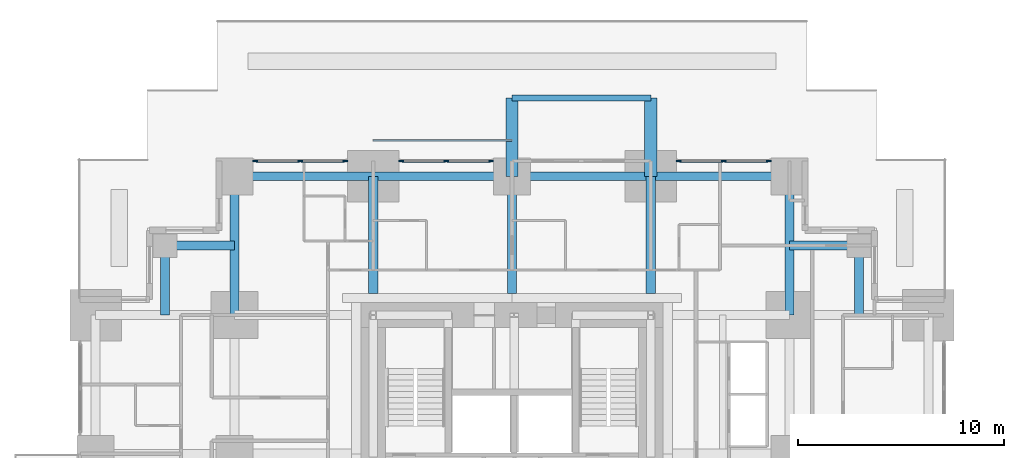
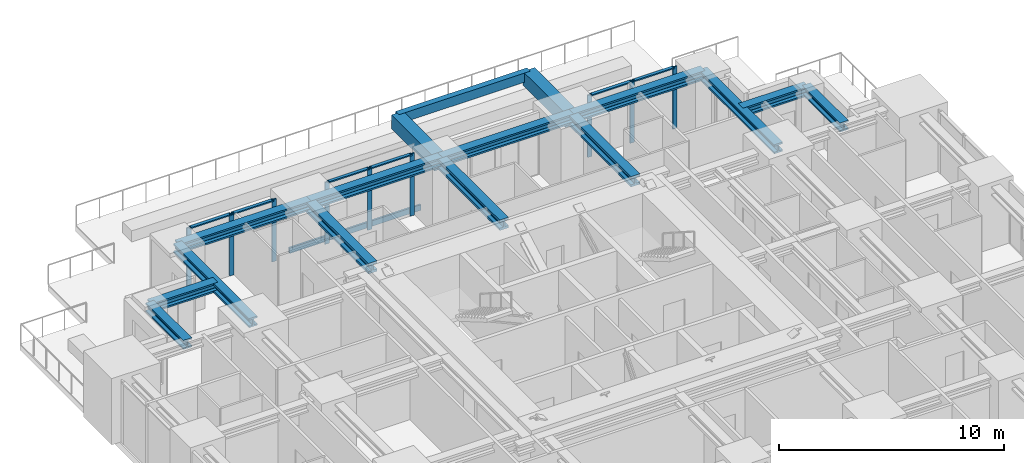
# One storey, part 4 of 12: 16 beams, 16 members, 3 elements without a shape of their own.
"""IFC4 building model written with IfcOpenShell, lengths in metres."""

from ifc_helpers import new_model, si_unit, direction, frame, origin, origin_2d, place, context, subcontext, project, spatial, rectangle, hollow_rectangle, i_section, extrude, material, material_profile, profile_set, type_object, element, aggregate, save


model = new_model("IFC4")

# Units and contexts
model_context = context("Model", 3, precision=1e-05, world=origin(), true_north=direction((0.0, 1.0)))
body_context = subcontext(model_context, "Body", "Model", "MODEL_VIEW")
ifc_project = project(units=[si_unit("LENGTHUNIT", "METRE"), si_unit("AREAUNIT", "SQUARE_METRE"), si_unit("VOLUMEUNIT", "CUBIC_METRE"), si_unit("PLANEANGLEUNIT", "RADIAN"), si_unit("MASSUNIT", "GRAM", prefix="KILO")], contexts=[model_context])

# Site, building, storey
site_placement = place(None, origin())
site = spatial("IfcSite", under=ifc_project, at=site_placement, CompositionType="ELEMENT")
building_placement = place(site_placement, origin())
building = spatial("IfcBuilding", under=site, at=building_placement, Name="Nyansa Garden Tower", CompositionType="ELEMENT")
storey_placement = place(building_placement, frame((0.0, 0.0, 80.10009765625)))
storey = spatial("IfcBuildingStorey", under=building, at=storey_placement, Name="L21", CompositionType="ELEMENT", Elevation=80.10009765625)

# Beams
ifc_material_1 = material(Name="Concrete C70/85", Category="concrete")
ifc_material_profile_1 = material_profile(ifc_material_1, rectangle(XDim=0.60009765625, YDim=0.75, at=origin_2d()), Name="RC 600x750")
ifc_profile_set_1 = profile_set([ifc_material_profile_1], Name="Concrete C70/85")
beam_type_1 = type_object("IfcBeamType", Name="Balcony cantilever beam CB1 RC 600x750", PredefinedType="BEAM", material=ifc_profile_set_1)
for number, where, z_axis, x_axis, name in (
    (1, (20.25, 33.75, 2.98486328125), (0.0, 1.0, 0.0), (-1.0, 0.0, 0.0), "Balcony cantilever beam L22"),
    (2, (27.0, 33.75, 2.98486328125), (0.0, 1.0, 0.0), (-1.0, 0.0, 0.0), "Balcony cantilever beam L22"),
):
    element("IfcBeam", number, at=place(storey_placement, frame(where, z_axis=z_axis, x_axis=x_axis)), inside=storey, type_object=beam_type_1, Name=name, PredefinedType="BEAM", context=body_context, shape_type="SweptSolid", body=[
        extrude(rectangle(XDim=0.60009765625, YDim=0.75, at=origin_2d()), origin(), (0.0, 0.0, 1.0), 3.800048828125),
    ])
ifc_material_2 = material(Name="Concrete C70/85", Category="concrete")
ifc_material_profile_2 = material_profile(ifc_material_2, rectangle(XDim=0.300048828125, YDim=0.5, at=origin_2d()), Name="RC 300x500")
ifc_profile_set_2 = profile_set([ifc_material_profile_2], Name="Concrete C70/85")
beam_type_2 = type_object("IfcBeamType", Name="Balcony edge beam BE1 RC 300x500", PredefinedType="BEAM", material=ifc_profile_set_2)
beam_placement = place(storey_placement, frame((20.25, 37.550048828125, 3.10986328125), z_axis=(1.0, 0.0, 0.0), x_axis=(0.0, 1.0, 0.0)))
element("IfcBeam", 3, at=beam_placement, inside=storey, type_object=beam_type_2, Name="Balcony edge beam L22", PredefinedType="BEAM", context=body_context, shape_type="SweptSolid", body=[
    extrude(rectangle(XDim=0.300048828125, YDim=0.5, at=origin_2d()), origin(), (0.0, 0.0, 1.0), 6.75),
])

# Curtain wall, members
ifc_material_3 = material(Name="Black anodised aluminium, dark tinted double glazing", Category="aluminium")
curtain_wall_type = type_object("IfcCurtainWallType", Name="Inner skin curtain wall ISW-B", PredefinedType="USERDEFINED", material=ifc_material_3)
curtain_wall_1_placement = place(storey_placement, origin())
curtain_wall_1 = element("IfcCurtainWall", 4, at=curtain_wall_1_placement, inside=storey, type_object=curtain_wall_type, Name="Inner skin curtain wall L21 N", ObjectType="UNITISED CURTAIN WALL", PredefinedType="USERDEFINED")
ifc_material_4 = material(Name="Black anodised aluminium", Category="aluminium")
ifc_material_profile_3 = material_profile(ifc_material_4, rectangle(XDim=0.06494140625, YDim=0.22509765625, at=origin_2d()), Name="Mullion 225x65")
ifc_profile_set_3 = profile_set([ifc_material_profile_3], Name="Black anodised aluminium")
member_type_1 = type_object("IfcMemberType", Name="Mullion ISW-B 225x65", PredefinedType="MULLION", material=ifc_profile_set_3)
member_1_placement = place(storey_placement, frame((19.237548828125, 34.5, 0.0), z_axis=(0.0, 0.0, 1.0), x_axis=(0.0, -1.0, 0.0)))
member_1 = element("IfcMember", 5, at=member_1_placement, type_object=member_type_1, Name="ISW-B mullion 1", PredefinedType="MULLION", context=body_context, shape_type="SweptSolid", body=[
    extrude(rectangle(XDim=0.06494140625, YDim=0.22509765625, at=origin_2d()), origin(), (0.0, 0.0, 1.0), 3.375),
])
member_2_placement = place(storey_placement, frame((17.050048828125, 34.5, 0.0), z_axis=(0.0, 0.0, 1.0), x_axis=(0.0, -1.0, 0.0)))
member_2 = element("IfcMember", 6, at=member_2_placement, type_object=member_type_1, Name="ISW-B mullion 2", PredefinedType="MULLION", context=body_context, shape_type="SweptSolid", body=[
    extrude(rectangle(XDim=0.06494140625, YDim=0.22509765625, at=origin_2d()), origin(), (0.0, 0.0, 1.0), 3.375),
])
member_3_placement = place(storey_placement, frame((14.862548828125, 34.5, 0.0), z_axis=(0.0, 0.0, 1.0), x_axis=(0.0, -1.0, 0.0)))
member_3 = element("IfcMember", 7, at=member_3_placement, type_object=member_type_1, Name="ISW-B mullion 3", PredefinedType="MULLION", context=body_context, shape_type="SweptSolid", body=[
    extrude(rectangle(XDim=0.06494140625, YDim=0.22509765625, at=origin_2d()), origin(), (0.0, 0.0, 1.0), 3.375),
])

curtain_wall_2_placement = place(storey_placement, origin())
curtain_wall_2 = element("IfcCurtainWall", 8, at=curtain_wall_2_placement, inside=storey, type_object=curtain_wall_type, Name="Inner skin curtain wall L21 N", ObjectType="UNITISED CURTAIN WALL", PredefinedType="USERDEFINED")
member_4_placement = place(storey_placement, frame((12.137451171875, 34.5, 0.0), z_axis=(0.0, 0.0, 1.0), x_axis=(0.0, -1.0, 0.0)))
member_4 = element("IfcMember", 9, at=member_4_placement, type_object=member_type_1, Name="ISW-B mullion 1", PredefinedType="MULLION", context=body_context, shape_type="SweptSolid", body=[
    extrude(rectangle(XDim=0.06494140625, YDim=0.22509765625, at=origin_2d()), origin(), (0.0, 0.0, 1.0), 3.375),
])
member_5_placement = place(storey_placement, frame((9.949951171875, 34.5, 0.0), z_axis=(0.0, 0.0, 1.0), x_axis=(0.0, -1.0, 0.0)))
member_5 = element("IfcMember", 10, at=member_5_placement, type_object=member_type_1, Name="ISW-B mullion 2", PredefinedType="MULLION", context=body_context, shape_type="SweptSolid", body=[
    extrude(rectangle(XDim=0.06494140625, YDim=0.22509765625, at=origin_2d()), origin(), (0.0, 0.0, 1.0), 3.375),
])
member_6_placement = place(storey_placement, frame((7.762451171875, 34.5, 0.0), z_axis=(0.0, 0.0, 1.0), x_axis=(0.0, -1.0, 0.0)))
member_6 = element("IfcMember", 11, at=member_6_placement, type_object=member_type_1, Name="ISW-B mullion 3", PredefinedType="MULLION", context=body_context, shape_type="SweptSolid", body=[
    extrude(rectangle(XDim=0.06494140625, YDim=0.22509765625, at=origin_2d()), origin(), (0.0, 0.0, 1.0), 3.375),
])

curtain_wall_3_placement = place(storey_placement, origin())
curtain_wall_3 = element("IfcCurtainWall", 12, at=curtain_wall_3_placement, inside=storey, type_object=curtain_wall_type, Name="Inner skin curtain wall L21 N", ObjectType="UNITISED CURTAIN WALL", PredefinedType="USERDEFINED")
member_7_placement = place(storey_placement, frame((32.737548828125, 34.5, 0.0), z_axis=(0.0, 0.0, 1.0), x_axis=(0.0, -1.0, 0.0)))
member_7 = element("IfcMember", 13, at=member_7_placement, type_object=member_type_1, Name="ISW-B mullion 1", PredefinedType="MULLION", context=body_context, shape_type="SweptSolid", body=[
    extrude(rectangle(XDim=0.06494140625, YDim=0.22509765625, at=origin_2d()), origin(), (0.0, 0.0, 1.0), 3.375),
])
member_8_placement = place(storey_placement, frame((30.550048828125, 34.5, 0.0), z_axis=(0.0, 0.0, 1.0), x_axis=(0.0, -1.0, 0.0)))
member_8 = element("IfcMember", 14, at=member_8_placement, type_object=member_type_1, Name="ISW-B mullion 2", PredefinedType="MULLION", context=body_context, shape_type="SweptSolid", body=[
    extrude(rectangle(XDim=0.06494140625, YDim=0.22509765625, at=origin_2d()), origin(), (0.0, 0.0, 1.0), 3.375),
])
member_9_placement = place(storey_placement, frame((28.362548828125, 34.5, 0.0), z_axis=(0.0, 0.0, 1.0), x_axis=(0.0, -1.0, 0.0)))
member_9 = element("IfcMember", 15, at=member_9_placement, type_object=member_type_1, Name="ISW-B mullion 3", PredefinedType="MULLION", context=body_context, shape_type="SweptSolid", body=[
    extrude(rectangle(XDim=0.06494140625, YDim=0.22509765625, at=origin_2d()), origin(), (0.0, 0.0, 1.0), 3.375),
])

# Member
ifc_material_5 = material(Name="Steel S355, black powder coated", Category="steel")
ifc_material_profile_4 = material_profile(ifc_material_5, hollow_rectangle(XDim=0.10009765625, YDim=0.300048828125, WallThickness=0.010009765625, at=origin_2d()), Name="RHS 300x100x10")
ifc_profile_set_4 = profile_set([ifc_material_profile_4], Name="Steel S355, black powder coated")
member_type_2 = type_object("IfcMemberType", Name="Outer skin rail RHS 300x100x10", PredefinedType="USERDEFINED", material=ifc_profile_set_4)
member_10_placement = place(storey_placement, frame((13.5, 35.5, -0.5), z_axis=(1.0, 0.0, 0.0), x_axis=(0.0, 1.0, 0.0)))
element("IfcMember", 16, at=member_10_placement, inside=storey, type_object=member_type_2, Name="Outer skin rail L21", ObjectType="OUTER SKIN RAIL", PredefinedType="USERDEFINED", context=body_context, shape_type="SweptSolid", body=[
    extrude(hollow_rectangle(XDim=0.10009765625, YDim=0.300048828125, WallThickness=0.010009765625, at=origin_2d()), origin(), (0.0, 0.0, 1.0), 6.75),
])

# Beams
ifc_material_6 = material(Name="Steel S355", Category="steel")
ifc_material_profile_5 = material_profile(ifc_material_6, i_section(OverallWidth=0.431884765625, OverallDepth=0.498046875, WebThickness=0.0556640625, FlangeThickness=0.0888671875, FilletRadius=0.014892578125, at=origin_2d()), Name="HD 400x744")
ifc_profile_set_5 = profile_set([ifc_material_profile_5], Name="Steel S355")
beam_type_3 = type_object("IfcBeamType", Name="Steel beam SBB2-744 HD 400x744", PredefinedType="BEAM", material=ifc_profile_set_5)
for number, where, z_axis, x_axis, name in (
    (17, (6.75, 27.0, 3.1259765625), (0.0, 1.0, 0.0), (-1.0, 0.0, 0.0), "Steel beam 3/H-3/J L22"),
    (18, (33.75, 27.0, 3.1259765625), (0.0, 1.0, 0.0), (-1.0, 0.0, 0.0), "Steel beam 7/H-7/J L22"),
):
    element("IfcBeam", number, at=place(storey_placement, frame(where, z_axis=z_axis, x_axis=x_axis)), inside=storey, type_object=beam_type_3, Name=name, PredefinedType="BEAM", context=body_context, shape_type="SweptSolid", body=[
        extrude(i_section(OverallWidth=0.431884765625, OverallDepth=0.498046875, WebThickness=0.0556640625, FlangeThickness=0.0888671875, FilletRadius=0.014892578125, at=origin_2d()), origin(), (0.0, 0.0, 1.0), 6.75),
    ])
ifc_material_7 = material(Name="Steel S355", Category="steel")
ifc_material_profile_6 = material_profile(ifc_material_7, i_section(OverallWidth=0.4541015625, OverallDepth=0.569091796875, WebThickness=0.077880859375, FlangeThickness=0.125, FilletRadius=0.014892578125, at=origin_2d()), Name="HD 400x1086")
ifc_profile_set_6 = profile_set([ifc_material_profile_6], Name="Steel S355")
beam_type_4 = type_object("IfcBeamType", Name="Steel beam SCL-1086 HD 400x1086", PredefinedType="BEAM", material=ifc_profile_set_6)
for number, where, z_axis, x_axis, name in (
    (19, (13.5, 28.050048828125, 3.09033203125), (0.0, 1.0, 0.0), (-1.0, 0.0, 0.0), "Steel beam 4/28.050-4/J L22"),
    (20, (20.25, 28.050048828125, 3.09033203125), (0.0, 1.0, 0.0), (-1.0, 0.0, 0.0), "Steel beam 5/28.050-5/J L22"),
    (21, (27.0, 28.050048828125, 3.09033203125), (0.0, 1.0, 0.0), (-1.0, 0.0, 0.0), "Steel beam 6/28.050-6/J L22"),
):
    element("IfcBeam", number, at=place(storey_placement, frame(where, z_axis=z_axis, x_axis=x_axis)), inside=storey, type_object=beam_type_4, Name=name, PredefinedType="BEAM", context=body_context, shape_type="SweptSolid", body=[
        extrude(i_section(OverallWidth=0.4541015625, OverallDepth=0.569091796875, WebThickness=0.077880859375, FlangeThickness=0.125, FilletRadius=0.014892578125, at=origin_2d()), origin(), (0.0, 0.0, 1.0), 5.699951171875),
    ])
ifc_material_8 = material(Name="Steel S355", Category="steel")
ifc_material_profile_7 = material_profile(ifc_material_8, i_section(OverallWidth=0.431884765625, OverallDepth=0.498046875, WebThickness=0.0556640625, FlangeThickness=0.0888671875, FilletRadius=0.014892578125, at=origin_2d()), Name="HD 400x744")
ifc_profile_set_7 = profile_set([ifc_material_profile_7], Name="Steel S355")
beam_type_5 = type_object("IfcBeamType", Name="Steel beam SEBB-744 HD 400x744", PredefinedType="BEAM", material=ifc_profile_set_7)
for number, where, z_axis, x_axis, name in (
    (22, (6.75, 33.75, 3.1259765625), (1.0, 0.0, 0.0), (0.0, 1.0, 0.0), "Steel edge beam 3/J-4/J L22"),
    (23, (13.5, 33.75, 3.1259765625), (1.0, 0.0, 0.0), (0.0, 1.0, 0.0), "Steel edge beam 4/J-5/J L22"),
    (24, (20.25, 33.75, 3.1259765625), (1.0, 0.0, 0.0), (0.0, 1.0, 0.0), "Steel edge beam 5/J-6/J L22"),
    (25, (27.0, 33.75, 3.1259765625), (1.0, 0.0, 0.0), (0.0, 1.0, 0.0), "Steel edge beam 6/J-7/J L22"),
):
    element("IfcBeam", number, at=place(storey_placement, frame(where, z_axis=z_axis, x_axis=x_axis)), inside=storey, type_object=beam_type_5, Name=name, PredefinedType="BEAM", context=body_context, shape_type="SweptSolid", body=[
        extrude(i_section(OverallWidth=0.431884765625, OverallDepth=0.498046875, WebThickness=0.0556640625, FlangeThickness=0.0888671875, FilletRadius=0.014892578125, at=origin_2d()), origin(), (0.0, 0.0, 1.0), 6.75),
    ])
ifc_material_9 = material(Name="Steel S355", Category="steel")
ifc_material_profile_8 = material_profile(ifc_material_9, i_section(OverallWidth=0.431884765625, OverallDepth=0.498046875, WebThickness=0.0556640625, FlangeThickness=0.0888671875, FilletRadius=0.014892578125, at=origin_2d()), Name="HD 400x744")
ifc_profile_set_8 = profile_set([ifc_material_profile_8], Name="Steel S355")
beam_type_6 = type_object("IfcBeamType", Name="Steel beam SSB1-744 HD 400x744", PredefinedType="BEAM", material=ifc_profile_set_8)
for number, where, z_axis, x_axis, name in (
    (26, (37.125, 30.375, 3.1259765625), (0.0, -1.0, 0.0), (1.0, 0.0, 0.0), "Steel step beam 37.125/30.375 L22"),
    (27, (37.125, 30.375, 3.1259765625), (-1.0, 0.0, 0.0), (0.0, -1.0, 0.0), "Steel step beam 37.125/30.375 L22"),
    (28, (3.375, 30.375, 3.1259765625), (0.0, -1.0, 0.0), (1.0, 0.0, 0.0), "Steel step beam 3.375/30.375 L22"),
    (29, (3.375, 30.375, 3.1259765625), (1.0, 0.0, 0.0), (0.0, 1.0, 0.0), "Steel step beam 3.375/30.375 L22"),
):
    element("IfcBeam", number, at=place(storey_placement, frame(where, z_axis=z_axis, x_axis=x_axis)), inside=storey, type_object=beam_type_6, Name=name, PredefinedType="BEAM", context=body_context, shape_type="SweptSolid", body=[
        extrude(i_section(OverallWidth=0.431884765625, OverallDepth=0.498046875, WebThickness=0.0556640625, FlangeThickness=0.0888671875, FilletRadius=0.014892578125, at=origin_2d()), origin(), (0.0, 0.0, 1.0), 3.375),
    ])

# Member
ifc_material_10 = material(Name="Black anodised aluminium", Category="aluminium")
ifc_material_profile_9 = material_profile(ifc_material_10, rectangle(XDim=0.1650390625, YDim=0.06494140625, at=origin_2d()), Name="Transom 165x65")
ifc_profile_set_9 = profile_set([ifc_material_profile_9], Name="Black anodised aluminium")
member_type_3 = type_object("IfcMemberType", Name="Transom ISW-B 165x65", PredefinedType="USERDEFINED", material=ifc_profile_set_9)
member_11_placement = place(storey_placement, frame((19.205078125, 34.5, 3.34228515625), z_axis=(-1.0, 0.0, 0.0), x_axis=(0.0, -1.0, 0.0)))
member_11 = element("IfcMember", 30, at=member_11_placement, type_object=member_type_3, Name="ISW-B transom 1", ObjectType="TRANSOM", PredefinedType="USERDEFINED", context=body_context, shape_type="SweptSolid", body=[
    extrude(rectangle(XDim=0.1650390625, YDim=0.06494140625, at=origin_2d()), origin(), (0.0, 0.0, 1.0), 2.12255859375),
])

member_12_placement = place(storey_placement, frame((17.017578125, 34.5, 3.34228515625), z_axis=(-1.0, 0.0, 0.0), x_axis=(0.0, -1.0, 0.0)))
member_12 = element("IfcMember", 31, at=member_12_placement, type_object=member_type_3, Name="ISW-B transom 2", ObjectType="TRANSOM", PredefinedType="USERDEFINED", context=body_context, shape_type="SweptSolid", body=[
    extrude(rectangle(XDim=0.1650390625, YDim=0.06494140625, at=origin_2d()), origin(), (0.0, 0.0, 1.0), 2.12255859375),
])

aggregate(curtain_wall_1, [member_1, member_2, member_3, member_11, member_12])

member_13_placement = place(storey_placement, frame((12.10498046875, 34.5, 3.34228515625), z_axis=(-1.0, 0.0, 0.0), x_axis=(0.0, -1.0, 0.0)))
member_13 = element("IfcMember", 32, at=member_13_placement, type_object=member_type_3, Name="ISW-B transom 1", ObjectType="TRANSOM", PredefinedType="USERDEFINED", context=body_context, shape_type="SweptSolid", body=[
    extrude(rectangle(XDim=0.1650390625, YDim=0.06494140625, at=origin_2d()), origin(), (0.0, 0.0, 1.0), 2.12255859375),
])

member_14_placement = place(storey_placement, frame((9.91748046875, 34.5, 3.34228515625), z_axis=(-1.0, 0.0, 0.0), x_axis=(0.0, -1.0, 0.0)))
member_14 = element("IfcMember", 33, at=member_14_placement, type_object=member_type_3, Name="ISW-B transom 2", ObjectType="TRANSOM", PredefinedType="USERDEFINED", context=body_context, shape_type="SweptSolid", body=[
    extrude(rectangle(XDim=0.1650390625, YDim=0.06494140625, at=origin_2d()), origin(), (0.0, 0.0, 1.0), 2.12255859375),
])

aggregate(curtain_wall_2, [member_4, member_5, member_6, member_13, member_14])

member_15_placement = place(storey_placement, frame((32.705078125, 34.5, 3.34228515625), z_axis=(-1.0, 0.0, 0.0), x_axis=(0.0, -1.0, 0.0)))
member_15 = element("IfcMember", 34, at=member_15_placement, type_object=member_type_3, Name="ISW-B transom 1", ObjectType="TRANSOM", PredefinedType="USERDEFINED", context=body_context, shape_type="SweptSolid", body=[
    extrude(rectangle(XDim=0.1650390625, YDim=0.06494140625, at=origin_2d()), origin(), (0.0, 0.0, 1.0), 2.12255859375),
])

member_16_placement = place(storey_placement, frame((30.517578125, 34.5, 3.34228515625), z_axis=(-1.0, 0.0, 0.0), x_axis=(0.0, -1.0, 0.0)))
member_16 = element("IfcMember", 35, at=member_16_placement, type_object=member_type_3, Name="ISW-B transom 2", ObjectType="TRANSOM", PredefinedType="USERDEFINED", context=body_context, shape_type="SweptSolid", body=[
    extrude(rectangle(XDim=0.1650390625, YDim=0.06494140625, at=origin_2d()), origin(), (0.0, 0.0, 1.0), 2.12255859375),
])

aggregate(curtain_wall_3, [member_7, member_8, member_9, member_15, member_16])

save(model, "model.ifc")
